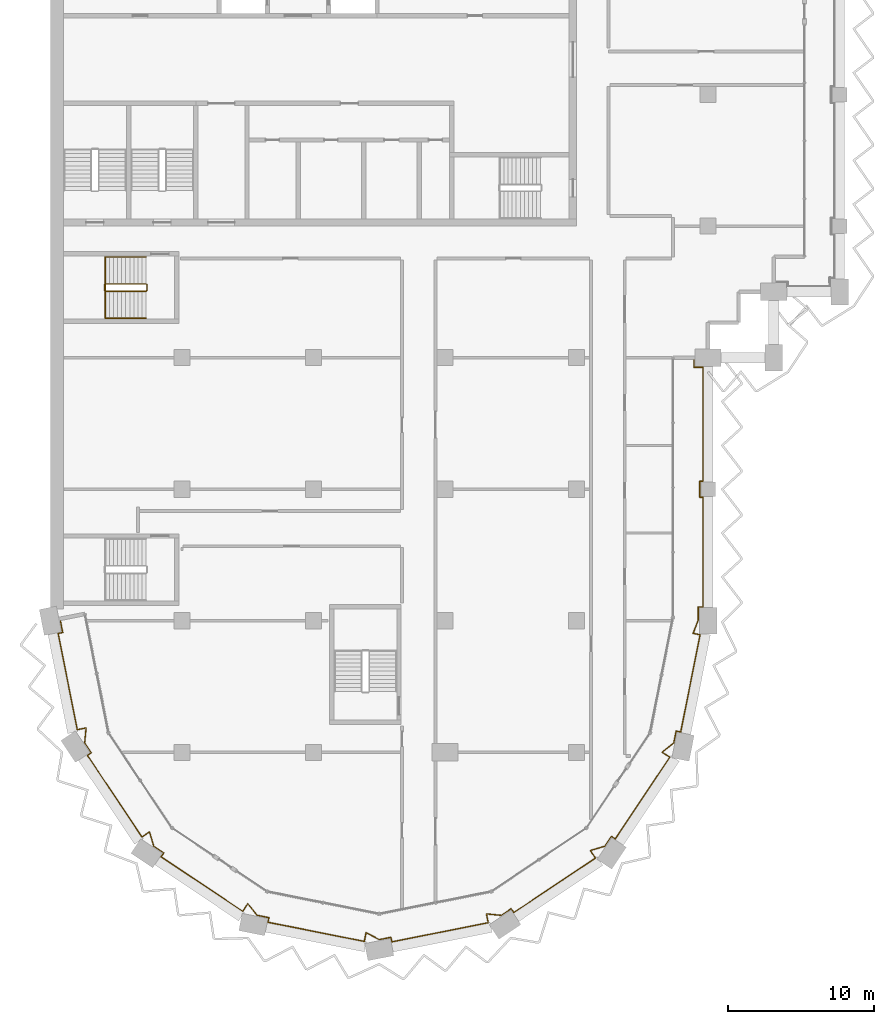
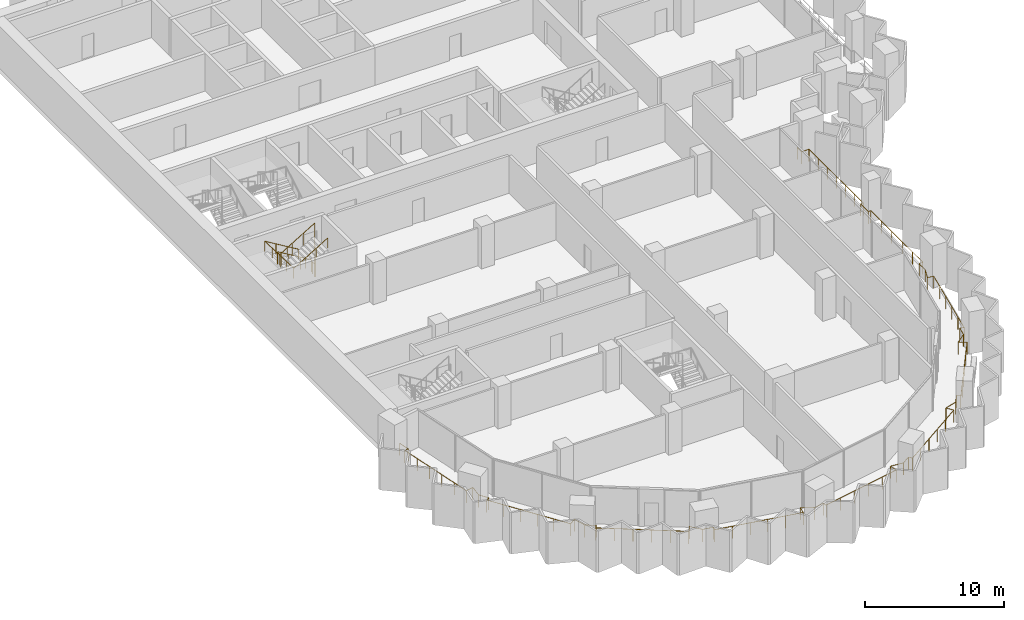
# One storey, part 15 of 17: 3 railings.
"""IFC4 building model written with IfcOpenShell, lengths in metres."""

from ifc_helpers import new_model, si_unit, direction, frame, origin, origin_2d, place, context, subcontext, project, spatial, circle, extrude, material, type_object, element, save


model = new_model("IFC4")

# Units and contexts
model_context = context("Model", 3, precision=1e-05, world=origin(), true_north=direction((0.0, 1.0)))
body_context = subcontext(model_context, "Body", "Model", "MODEL_VIEW")
ifc_project = project(units=[si_unit("LENGTHUNIT", "METRE"), si_unit("AREAUNIT", "SQUARE_METRE"), si_unit("VOLUMEUNIT", "CUBIC_METRE"), si_unit("PLANEANGLEUNIT", "RADIAN"), si_unit("MASSUNIT", "GRAM", prefix="KILO")], contexts=[model_context])

# Site, building, storey
site_placement = place(None, origin())
site = spatial("IfcSite", under=ifc_project, at=site_placement, CompositionType="ELEMENT")
building_placement = place(site_placement, origin())
building = spatial("IfcBuilding", under=site, at=building_placement, Name="Hunhe Ridgeline Campus", CompositionType="ELEMENT")
storey_placement = place(building_placement, frame((0.0, 0.0, 193.89990234375)))
storey = spatial("IfcBuildingStorey", under=building, at=storey_placement, Name="L49", CompositionType="ELEMENT", Elevation=193.89990234375)

# Railings
ifc_material_1 = material(Name="Steel Q355", Category="steel")
railing_type_1 = type_object("IfcRailingType", Name="Loggia guard 1100 Steel Q355", PredefinedType="GUARDRAIL", material=ifc_material_1)
railing_1_placement = place(storey_placement, frame((0.6572265625, 36.130615234375, 0.0)))
element("IfcRailing", 1, at=railing_1_placement, inside=storey, type_object=railing_type_1, Name="Loggia guard 1", PredefinedType="GUARDRAIL", context=body_context, shape_type="SweptSolid", body=[
    extrude(circle(Radius=0.02392578125, at=origin_2d()), frame((0.0, 0.0, 1.076171875), z_axis=(0.195078060519, -0.980787719287, 0.0), x_axis=(0.980787719287, 0.195078060519, 0.0)), (0.0, 0.0, 1.0), 0.949951171875),
    extrude(circle(Radius=0.02392578125, at=origin_2d()), frame((0.185302734375, -0.931640625, 1.076171875), z_axis=(-0.980756274917, -0.195236085831, 0.0), x_axis=(0.195236085831, -0.980756274917, 0.0)), (0.0, 0.0, 1.0), 0.320068359375),
    extrude(circle(Radius=0.02392578125, at=origin_2d()), frame((-0.128662109375, -0.994140625, 1.076171875), z_axis=(0.195081688297, -0.980786997717, 0.0), x_axis=(0.980786997717, 0.195081688297, 0.0)), (0.0, 0.0, 1.0), 6.718017578125),
    extrude(circle(Radius=0.02392578125, at=origin_2d()), frame((1.181884765625, -7.5830078125, 1.076171875), z_axis=(0.980747227858, 0.195281527671, 0.0), x_axis=(-0.195281527671, 0.980747227858, 0.0)), (0.0, 0.0, 1.0), 0.618896484375),
    extrude(circle(Radius=0.02392578125, at=origin_2d()), frame((1.788818359375, -7.462158203125, 1.076171875), z_axis=(-0.100047453171, -0.99498266674, 0.0), x_axis=(0.99498266674, -0.100047453171, 0.0)), (0.0, 0.0, 1.0), 1.0224609375),
    extrude(circle(Radius=0.02392578125, at=origin_2d()), frame((1.6865234375, -8.4794921875, 1.076171875), z_axis=(0.555596479569, -0.83145207432, 0.0), x_axis=(0.83145207432, 0.555596479569, 0.0)), (0.0, 0.0, 1.0), 0.81689453125),
    extrude(circle(Radius=0.02392578125, at=origin_2d()), frame((2.140380859375, -9.15869140625, 1.076171875), z_axis=(-0.831580508376, -0.555404229448, 0.0), x_axis=(0.555404229448, -0.831580508376, 0.0)), (0.0, 0.0, 1.0), 0.320068359375),
    extrude(circle(Radius=0.02392578125, at=origin_2d()), frame((1.874267578125, -9.33642578125, 1.076171875), z_axis=(0.555588848626, -0.831457173451, 0.0), x_axis=(0.831457173451, 0.555588848626, 0.0)), (0.0, 0.0, 1.0), 6.718017578125),
    extrude(circle(Radius=0.02392578125, at=origin_2d()), frame((5.606689453125, -14.922119140625, 1.076171875), z_axis=(0.831442704119, 0.555610501851, 0.0), x_axis=(-0.555610501851, 0.831442704119, 0.0)), (0.0, 0.0, 1.0), 0.61865234375),
    extrude(circle(Radius=0.02392578125, at=origin_2d()), frame((6.12109375, -14.578369140625, 1.076171875), z_axis=(0.28844300651, -0.957497066312, 0.0), x_axis=(0.957497066312, 0.28844300651, 0.0)), (0.0, 0.0, 1.0), 1.0224609375),
    extrude(circle(Radius=0.02392578125, at=origin_2d()), frame((6.416015625, -15.557373046875, 1.076171875), z_axis=(0.831359782977, -0.55573456906, 0.0), x_axis=(0.55573456906, 0.831359782977, 0.0)), (0.0, 0.0, 1.0), 0.816650390625),
    extrude(circle(Radius=0.02392578125, at=origin_2d()), frame((7.094970703125, -16.01123046875, 1.076171875), z_axis=(-0.555404229448, -0.831580508376, 0.0), x_axis=(0.831580508376, -0.555404229448, 0.0)), (0.0, 0.0, 1.0), 0.320068359375),
    extrude(circle(Radius=0.02392578125, at=origin_2d()), frame((6.917236328125, -16.27734375, 1.076171875), z_axis=(0.831473961305, -0.555563724222, 0.0), x_axis=(0.555563724222, 0.831473961305, 0.0)), (0.0, 0.0, 1.0), 6.7177734375),
    extrude(circle(Radius=0.02392578125, at=origin_2d()), frame((12.5029296875, -20.009521484375, 1.076171875), z_axis=(0.555610501851, 0.831442704119, 0.0), x_axis=(-0.831442704119, 0.555610501851, 0.0)), (0.0, 0.0, 1.0), 0.61865234375),
    extrude(circle(Radius=0.02392578125, at=origin_2d()), frame((12.8466796875, -19.4951171875, 1.076171875), z_axis=(0.63289971186, -0.774233785576, 0.0), x_axis=(0.774233785576, 0.63289971186, 0.0)), (0.0, 0.0, 1.0), 1.022705078125),
    extrude(circle(Radius=0.02392578125, at=origin_2d()), frame((13.493896484375, -20.286865234375, 1.076171875), z_axis=(0.980821383877, -0.194908729743, 0.0), x_axis=(0.194908729743, 0.980821383877, 0.0)), (0.0, 0.0, 1.0), 0.816650390625),
    extrude(circle(Radius=0.02392578125, at=origin_2d()), frame((14.294921875, -20.446044921875, 1.076171875), z_axis=(-0.195236085831, -0.980756274917, 0.0), x_axis=(0.980756274917, -0.195236085831, 0.0)), (0.0, 0.0, 1.0), 0.320068359375),
    extrude(circle(Radius=0.02392578125, at=origin_2d()), frame((14.232421875, -20.760009765625, 1.076171875), z_axis=(0.980786997717, -0.195081688297, 0.0), x_axis=(0.195081688297, 0.980786997717, 0.0)), (0.0, 0.0, 1.0), 6.718017578125),
    extrude(circle(Radius=0.02392578125, at=origin_2d()), frame((20.8212890625, -22.070556640625, 1.076171875), z_axis=(0.194902020226, 0.980822717168, 0.0), x_axis=(-0.980822717168, 0.194902020226, 0.0)), (0.0, 0.0, 1.0), 0.618896484375),
    extrude(circle(Radius=0.02392578125, at=origin_2d()), frame((20.94189453125, -21.463623046875, 1.076171875), z_axis=(0.880961256043, -0.473188403652, 0.0), x_axis=(0.473188403652, 0.880961256043, 0.0)), (0.0, 0.0, 1.0), 1.022705078125),
    extrude(circle(Radius=0.02392578125, at=origin_2d()), frame((21.8427734375, -21.947509765625, 1.076171875), z_axis=(0.980764196543, 0.195196287822, 0.0), x_axis=(-0.195196287822, 0.980764196543, 0.0)), (0.0, 0.0, 1.0), 0.816650390625),
    extrude(circle(Radius=0.02392578125, at=origin_2d()), frame((22.643798828125, -21.7880859375, 1.076171875), z_axis=(0.195236085831, -0.980756274917, 0.0), x_axis=(0.980756274917, 0.195236085831, 0.0)), (0.0, 0.0, 1.0), 0.320068359375),
    extrude(circle(Radius=0.02392578125, at=origin_2d()), frame((22.706298828125, -22.10205078125, 1.076171875), z_axis=(0.980786997717, 0.195081688297, 0.0), x_axis=(-0.195081688297, 0.980786997717, 0.0)), (0.0, 0.0, 1.0), 6.718017578125),
    extrude(circle(Radius=0.02392578125, at=origin_2d()), frame((29.295166015625, -20.79150390625, 1.076171875), z_axis=(-0.195281527671, 0.980747227858, 0.0), x_axis=(-0.980747227858, -0.195281527671, 0.0)), (0.0, 0.0, 1.0), 0.618896484375),
    extrude(circle(Radius=0.02392578125, at=origin_2d()), frame((29.17431640625, -20.1845703125, 1.076171875), z_axis=(0.99498266674, -0.100047453171, 0.0), x_axis=(0.100047453171, 0.99498266674, 0.0)), (0.0, 0.0, 1.0), 1.0224609375),
    extrude(circle(Radius=0.02392578125, at=origin_2d()), frame((30.191650390625, -20.286865234375, 1.076171875), z_axis=(0.83145207432, 0.555596479569, 0.0), x_axis=(-0.555596479569, 0.83145207432, 0.0)), (0.0, 0.0, 1.0), 0.81689453125),
    extrude(circle(Radius=0.02392578125, at=origin_2d()), frame((30.870849609375, -19.8330078125, 1.076171875), z_axis=(0.555404229448, -0.831580508376, 0.0), x_axis=(0.831580508376, 0.555404229448, 0.0)), (0.0, 0.0, 1.0), 0.320068359375),
    extrude(circle(Radius=0.02392578125, at=origin_2d()), frame((31.048583984375, -20.09912109375, 1.076171875), z_axis=(0.831457173451, 0.555588848626, 0.0), x_axis=(-0.555588848626, 0.831457173451, 0.0)), (0.0, 0.0, 1.0), 6.718017578125),
    extrude(circle(Radius=0.02392578125, at=origin_2d()), frame((36.63427734375, -16.36669921875, 1.076171875), z_axis=(-0.555610501851, 0.831442704119, 0.0), x_axis=(-0.831442704119, -0.555610501851, 0.0)), (0.0, 0.0, 1.0), 0.61865234375),
    extrude(circle(Radius=0.02392578125, at=origin_2d()), frame((36.29052734375, -15.852294921875, 1.076171875), z_axis=(0.957497066312, 0.28844300651, 0.0), x_axis=(-0.28844300651, 0.957497066312, 0.0)), (0.0, 0.0, 1.0), 1.0224609375),
    extrude(circle(Radius=0.02392578125, at=origin_2d()), frame((37.26953125, -15.557373046875, 1.076171875), z_axis=(0.55573456906, 0.831359782977, 0.0), x_axis=(-0.831359782977, 0.55573456906, 0.0)), (0.0, 0.0, 1.0), 0.816650390625),
    extrude(circle(Radius=0.02392578125, at=origin_2d()), frame((37.723388671875, -14.87841796875, 1.076171875), z_axis=(0.831580508376, -0.555404229448, 0.0), x_axis=(0.555404229448, 0.831580508376, 0.0)), (0.0, 0.0, 1.0), 0.320068359375),
    extrude(circle(Radius=0.02392578125, at=origin_2d()), frame((37.989501953125, -15.05615234375, 1.076171875), z_axis=(0.555563724222, 0.831473961305, 0.0), x_axis=(-0.831473961305, 0.555563724222, 0.0)), (0.0, 0.0, 1.0), 6.7177734375),
    extrude(circle(Radius=0.02392578125, at=origin_2d()), frame((41.7216796875, -9.470458984375, 1.076171875), z_axis=(-0.831442704119, 0.555610501851, 0.0), x_axis=(-0.555610501851, -0.831442704119, 0.0)), (0.0, 0.0, 1.0), 0.61865234375),
    extrude(circle(Radius=0.02392578125, at=origin_2d()), frame((41.207275390625, -9.126708984375, 1.076171875), z_axis=(0.774233785576, 0.63289971186, 0.0), x_axis=(-0.63289971186, 0.774233785576, 0.0)), (0.0, 0.0, 1.0), 1.022705078125),
    extrude(circle(Radius=0.02392578125, at=origin_2d()), frame((41.9990234375, -8.4794921875, 1.076171875), z_axis=(0.194908729743, 0.980821383877, 0.0), x_axis=(-0.980821383877, 0.194908729743, 0.0)), (0.0, 0.0, 1.0), 0.816650390625),
    extrude(circle(Radius=0.02392578125, at=origin_2d()), frame((42.158203125, -7.678466796875, 1.076171875), z_axis=(0.980756274917, -0.195236085831, 0.0), x_axis=(0.195236085831, 0.980756274917, 0.0)), (0.0, 0.0, 1.0), 0.320068359375),
    extrude(circle(Radius=0.02392578125, at=origin_2d()), frame((42.47216796875, -7.740966796875, 1.076171875), z_axis=(0.195084106665, 0.980786516693, 0.0), x_axis=(-0.980786516693, 0.195084106665, 0.0)), (0.0, 0.0, 1.0), 6.779296875),
    extrude(circle(Radius=0.02392578125, at=origin_2d()), frame((43.794677734375, -1.092041015625, 1.076171875), z_axis=(-0.980754922768, 0.195242878144, 0.0), x_axis=(-0.195242878144, -0.980754922768, 0.0)), (0.0, 0.0, 1.0), 0.48388671875),
    extrude(circle(Radius=0.02392578125, at=origin_2d()), frame((43.320068359375, -0.99755859375, 1.076171875), z_axis=(0.353724256779, 0.93534974751, 0.0), x_axis=(-0.93534974751, 0.353724256779, 0.0)), (0.0, 0.0, 1.0), 0.997314453125),
    extrude(circle(Radius=0.02392578125, at=origin_2d()), frame((43.6728515625, -0.064697265625, 1.076171875), z_axis=(0.0, 1.0, 0.0), x_axis=(-1.0, 0.0, 0.0)), (0.0, 0.0, 1.0), 0.884033203125),
    extrude(circle(Radius=0.02392578125, at=origin_2d()), frame((43.6728515625, 0.8193359375, 1.076171875), z_axis=(1.0, 0.0, 0.0), x_axis=(0.0, 1.0, 0.0)), (0.0, 0.0, 1.0), 0.31982421875),
    extrude(circle(Radius=0.02392578125, at=origin_2d()), frame((43.99267578125, 0.8193359375, 1.076171875), z_axis=(0.0, 1.0, 0.0), x_axis=(-1.0, 0.0, 0.0)), (0.0, 0.0, 1.0), 7.5),
    extrude(circle(Radius=0.02392578125, at=origin_2d()), frame((43.99267578125, 8.3193359375, 1.076171875), z_axis=(-1.0, 0.0, 0.0), x_axis=(0.0, -1.0, 0.0)), (0.0, 0.0, 1.0), 0.219970703125),
    extrude(circle(Radius=0.02392578125, at=origin_2d()), frame((43.772705078125, 8.3193359375, 1.076171875), z_axis=(0.0, 1.0, 0.0), x_axis=(-1.0, 0.0, 0.0)), (0.0, 0.0, 1.0), 1.10009765625),
    extrude(circle(Radius=0.02392578125, at=origin_2d()), frame((43.772705078125, 9.41943359375, 1.076171875), z_axis=(1.0, 0.0, 0.0), x_axis=(0.0, 1.0, 0.0)), (0.0, 0.0, 1.0), 0.219970703125),
    extrude(circle(Radius=0.02392578125, at=origin_2d()), frame((43.99267578125, 9.41943359375, 1.076171875), z_axis=(0.0, 1.0, 0.0), x_axis=(-1.0, 0.0, 0.0)), (0.0, 0.0, 1.0), 7.800048828125),
    extrude(circle(Radius=0.02392578125, at=origin_2d()), frame((43.99267578125, 17.219482421875, 1.076171875), z_axis=(-1.0, 0.0, 0.0), x_axis=(0.0, -1.0, 0.0)), (0.0, 0.0, 1.0), 0.619873046875),
    extrude(circle(Radius=0.02392578125, at=origin_2d()), frame((43.372802734375, 17.219482421875, 1.076171875), z_axis=(0.0, 1.0, 0.0), x_axis=(-1.0, 0.0, 0.0)), (0.0, 0.0, 1.0), 0.64990234375),
    extrude(circle(Radius=0.02099609375, at=origin_2d()), origin(), (0.0, 0.0, 1.0), 1.052001953125),
    extrude(circle(Radius=0.02099609375, at=origin_2d()), frame((0.185302734375, -0.931640625, 0.0)), (0.0, 0.0, 1.0), 1.052001953125),
    extrude(circle(Radius=0.02099609375, at=origin_2d()), frame((-0.128662109375, -0.994140625, 0.0)), (0.0, 0.0, 1.0), 1.052001953125),
    extrude(circle(Radius=0.02099609375, at=origin_2d()), frame((0.133544921875, -2.31201171875, 0.0)), (0.0, 0.0, 1.0), 1.052001953125),
    extrude(circle(Radius=0.02099609375, at=origin_2d()), frame((0.3955078125, -3.629638671875, 0.0)), (0.0, 0.0, 1.0), 1.052001953125),
    extrude(circle(Radius=0.02099609375, at=origin_2d()), frame((0.65771484375, -4.947509765625, 0.0)), (0.0, 0.0, 1.0), 1.052001953125),
    extrude(circle(Radius=0.02099609375, at=origin_2d()), frame((0.919677734375, -6.26513671875, 0.0)), (0.0, 0.0, 1.0), 1.052001953125),
    extrude(circle(Radius=0.02099609375, at=origin_2d()), frame((1.181884765625, -7.5830078125, 0.0)), (0.0, 0.0, 1.0), 1.052001953125),
    extrude(circle(Radius=0.02099609375, at=origin_2d()), frame((1.788818359375, -7.462158203125, 0.0)), (0.0, 0.0, 1.0), 1.052001953125),
    extrude(circle(Radius=0.02099609375, at=origin_2d()), frame((1.6865234375, -8.4794921875, 0.0)), (0.0, 0.0, 1.0), 1.052001953125),
    extrude(circle(Radius=0.02099609375, at=origin_2d()), frame((2.140380859375, -9.15869140625, 0.0)), (0.0, 0.0, 1.0), 1.052001953125),
    extrude(circle(Radius=0.02099609375, at=origin_2d()), frame((1.874267578125, -9.33642578125, 0.0)), (0.0, 0.0, 1.0), 1.052001953125),
    extrude(circle(Radius=0.02099609375, at=origin_2d()), frame((2.620849609375, -10.45361328125, 0.0)), (0.0, 0.0, 1.0), 1.052001953125),
    extrude(circle(Radius=0.02099609375, at=origin_2d()), frame((3.3671875, -11.57080078125, 0.0)), (0.0, 0.0, 1.0), 1.052001953125),
    extrude(circle(Radius=0.02099609375, at=origin_2d()), frame((4.11376953125, -12.687744140625, 0.0)), (0.0, 0.0, 1.0), 1.052001953125),
    extrude(circle(Radius=0.02099609375, at=origin_2d()), frame((4.860107421875, -13.804931640625, 0.0)), (0.0, 0.0, 1.0), 1.052001953125),
    extrude(circle(Radius=0.02099609375, at=origin_2d()), frame((5.606689453125, -14.922119140625, 0.0)), (0.0, 0.0, 1.0), 1.052001953125),
    extrude(circle(Radius=0.02099609375, at=origin_2d()), frame((6.12109375, -14.578369140625, 0.0)), (0.0, 0.0, 1.0), 1.052001953125),
    extrude(circle(Radius=0.02099609375, at=origin_2d()), frame((6.416015625, -15.557373046875, 0.0)), (0.0, 0.0, 1.0), 1.052001953125),
    extrude(circle(Radius=0.02099609375, at=origin_2d()), frame((7.094970703125, -16.01123046875, 0.0)), (0.0, 0.0, 1.0), 1.052001953125),
    extrude(circle(Radius=0.02099609375, at=origin_2d()), frame((6.917236328125, -16.27734375, 0.0)), (0.0, 0.0, 1.0), 1.052001953125),
    extrude(circle(Radius=0.02099609375, at=origin_2d()), frame((8.034423828125, -17.023681640625, 0.0)), (0.0, 0.0, 1.0), 1.052001953125),
    extrude(circle(Radius=0.02099609375, at=origin_2d()), frame((9.151611328125, -17.770263671875, 0.0)), (0.0, 0.0, 1.0), 1.052001953125),
    extrude(circle(Radius=0.02099609375, at=origin_2d()), frame((10.2685546875, -18.5166015625, 0.0)), (0.0, 0.0, 1.0), 1.052001953125),
    extrude(circle(Radius=0.02099609375, at=origin_2d()), frame((11.3857421875, -19.26318359375, 0.0)), (0.0, 0.0, 1.0), 1.052001953125),
    extrude(circle(Radius=0.02099609375, at=origin_2d()), frame((12.5029296875, -20.009521484375, 0.0)), (0.0, 0.0, 1.0), 1.052001953125),
    extrude(circle(Radius=0.02099609375, at=origin_2d()), frame((12.8466796875, -19.4951171875, 0.0)), (0.0, 0.0, 1.0), 1.052001953125),
    extrude(circle(Radius=0.02099609375, at=origin_2d()), frame((13.493896484375, -20.286865234375, 0.0)), (0.0, 0.0, 1.0), 1.052001953125),
    extrude(circle(Radius=0.02099609375, at=origin_2d()), frame((14.294921875, -20.446044921875, 0.0)), (0.0, 0.0, 1.0), 1.052001953125),
    extrude(circle(Radius=0.02099609375, at=origin_2d()), frame((14.232421875, -20.760009765625, 0.0)), (0.0, 0.0, 1.0), 1.052001953125),
    extrude(circle(Radius=0.02099609375, at=origin_2d()), frame((15.55029296875, -21.022216796875, 0.0)), (0.0, 0.0, 1.0), 1.052001953125),
    extrude(circle(Radius=0.02099609375, at=origin_2d()), frame((16.867919921875, -21.2841796875, 0.0)), (0.0, 0.0, 1.0), 1.052001953125),
    extrude(circle(Radius=0.02099609375, at=origin_2d()), frame((18.185791015625, -21.54638671875, 0.0)), (0.0, 0.0, 1.0), 1.052001953125),
    extrude(circle(Radius=0.02099609375, at=origin_2d()), frame((19.50341796875, -21.808349609375, 0.0)), (0.0, 0.0, 1.0), 1.052001953125),
    extrude(circle(Radius=0.02099609375, at=origin_2d()), frame((20.8212890625, -22.070556640625, 0.0)), (0.0, 0.0, 1.0), 1.052001953125),
    extrude(circle(Radius=0.02099609375, at=origin_2d()), frame((20.94189453125, -21.463623046875, 0.0)), (0.0, 0.0, 1.0), 1.052001953125),
    extrude(circle(Radius=0.02099609375, at=origin_2d()), frame((21.8427734375, -21.947509765625, 0.0)), (0.0, 0.0, 1.0), 1.052001953125),
    extrude(circle(Radius=0.02099609375, at=origin_2d()), frame((22.643798828125, -21.7880859375, 0.0)), (0.0, 0.0, 1.0), 1.052001953125),
    extrude(circle(Radius=0.02099609375, at=origin_2d()), frame((22.706298828125, -22.10205078125, 0.0)), (0.0, 0.0, 1.0), 1.052001953125),
    extrude(circle(Radius=0.02099609375, at=origin_2d()), frame((24.024169921875, -21.83984375, 0.0)), (0.0, 0.0, 1.0), 1.052001953125),
    extrude(circle(Radius=0.02099609375, at=origin_2d()), frame((25.341796875, -21.577880859375, 0.0)), (0.0, 0.0, 1.0), 1.052001953125),
    extrude(circle(Radius=0.02099609375, at=origin_2d()), frame((26.65966796875, -21.315673828125, 0.0)), (0.0, 0.0, 1.0), 1.052001953125),
    extrude(circle(Radius=0.02099609375, at=origin_2d()), frame((27.977294921875, -21.0537109375, 0.0)), (0.0, 0.0, 1.0), 1.052001953125),
    extrude(circle(Radius=0.02099609375, at=origin_2d()), frame((29.295166015625, -20.79150390625, 0.0)), (0.0, 0.0, 1.0), 1.052001953125),
    extrude(circle(Radius=0.02099609375, at=origin_2d()), frame((29.17431640625, -20.1845703125, 0.0)), (0.0, 0.0, 1.0), 1.052001953125),
    extrude(circle(Radius=0.02099609375, at=origin_2d()), frame((30.191650390625, -20.286865234375, 0.0)), (0.0, 0.0, 1.0), 1.052001953125),
    extrude(circle(Radius=0.02099609375, at=origin_2d()), frame((30.870849609375, -19.8330078125, 0.0)), (0.0, 0.0, 1.0), 1.052001953125),
    extrude(circle(Radius=0.02099609375, at=origin_2d()), frame((31.048583984375, -20.09912109375, 0.0)), (0.0, 0.0, 1.0), 1.052001953125),
    extrude(circle(Radius=0.02099609375, at=origin_2d()), frame((32.165771484375, -19.3525390625, 0.0)), (0.0, 0.0, 1.0), 1.052001953125),
    extrude(circle(Radius=0.02099609375, at=origin_2d()), frame((33.282958984375, -18.606201171875, 0.0)), (0.0, 0.0, 1.0), 1.052001953125),
    extrude(circle(Radius=0.02099609375, at=origin_2d()), frame((34.39990234375, -17.859619140625, 0.0)), (0.0, 0.0, 1.0), 1.052001953125),
    extrude(circle(Radius=0.02099609375, at=origin_2d()), frame((35.51708984375, -17.11328125, 0.0)), (0.0, 0.0, 1.0), 1.052001953125),
    extrude(circle(Radius=0.02099609375, at=origin_2d()), frame((36.63427734375, -16.36669921875, 0.0)), (0.0, 0.0, 1.0), 1.052001953125),
    extrude(circle(Radius=0.02099609375, at=origin_2d()), frame((36.29052734375, -15.852294921875, 0.0)), (0.0, 0.0, 1.0), 1.052001953125),
    extrude(circle(Radius=0.02099609375, at=origin_2d()), frame((37.26953125, -15.557373046875, 0.0)), (0.0, 0.0, 1.0), 1.052001953125),
    extrude(circle(Radius=0.02099609375, at=origin_2d()), frame((37.723388671875, -14.87841796875, 0.0)), (0.0, 0.0, 1.0), 1.052001953125),
    extrude(circle(Radius=0.02099609375, at=origin_2d()), frame((37.989501953125, -15.05615234375, 0.0)), (0.0, 0.0, 1.0), 1.052001953125),
    extrude(circle(Radius=0.02099609375, at=origin_2d()), frame((38.73583984375, -13.93896484375, 0.0)), (0.0, 0.0, 1.0), 1.052001953125),
    extrude(circle(Radius=0.02099609375, at=origin_2d()), frame((39.482421875, -12.82177734375, 0.0)), (0.0, 0.0, 1.0), 1.052001953125),
    extrude(circle(Radius=0.02099609375, at=origin_2d()), frame((40.228759765625, -11.704833984375, 0.0)), (0.0, 0.0, 1.0), 1.052001953125),
    extrude(circle(Radius=0.02099609375, at=origin_2d()), frame((40.975341796875, -10.587646484375, 0.0)), (0.0, 0.0, 1.0), 1.052001953125),
    extrude(circle(Radius=0.02099609375, at=origin_2d()), frame((41.7216796875, -9.470458984375, 0.0)), (0.0, 0.0, 1.0), 1.052001953125),
    extrude(circle(Radius=0.02099609375, at=origin_2d()), frame((41.207275390625, -9.126708984375, 0.0)), (0.0, 0.0, 1.0), 1.052001953125),
    extrude(circle(Radius=0.02099609375, at=origin_2d()), frame((41.9990234375, -8.4794921875, 0.0)), (0.0, 0.0, 1.0), 1.052001953125),
    extrude(circle(Radius=0.02099609375, at=origin_2d()), frame((42.158203125, -7.678466796875, 0.0)), (0.0, 0.0, 1.0), 1.052001953125),
    extrude(circle(Radius=0.02099609375, at=origin_2d()), frame((42.47216796875, -7.740966796875, 0.0)), (0.0, 0.0, 1.0), 1.052001953125),
    extrude(circle(Radius=0.02099609375, at=origin_2d()), frame((42.736572265625, -6.4111328125, 0.0)), (0.0, 0.0, 1.0), 1.052001953125),
    extrude(circle(Radius=0.02099609375, at=origin_2d()), frame((43.001220703125, -5.081298828125, 0.0)), (0.0, 0.0, 1.0), 1.052001953125),
    extrude(circle(Radius=0.02099609375, at=origin_2d()), frame((43.265625, -3.751708984375, 0.0)), (0.0, 0.0, 1.0), 1.052001953125),
    extrude(circle(Radius=0.02099609375, at=origin_2d()), frame((43.5302734375, -2.421875, 0.0)), (0.0, 0.0, 1.0), 1.052001953125),
    extrude(circle(Radius=0.02099609375, at=origin_2d()), frame((43.794677734375, -1.092041015625, 0.0)), (0.0, 0.0, 1.0), 1.052001953125),
    extrude(circle(Radius=0.02099609375, at=origin_2d()), frame((43.320068359375, -0.99755859375, 0.0)), (0.0, 0.0, 1.0), 1.052001953125),
    extrude(circle(Radius=0.02099609375, at=origin_2d()), frame((43.6728515625, -0.064697265625, 0.0)), (0.0, 0.0, 1.0), 1.052001953125),
    extrude(circle(Radius=0.02099609375, at=origin_2d()), frame((43.6728515625, 0.8193359375, 0.0)), (0.0, 0.0, 1.0), 1.052001953125),
    extrude(circle(Radius=0.02099609375, at=origin_2d()), frame((43.99267578125, 0.8193359375, 0.0)), (0.0, 0.0, 1.0), 1.052001953125),
    extrude(circle(Radius=0.02099609375, at=origin_2d()), frame((43.99267578125, 2.3193359375, 0.0)), (0.0, 0.0, 1.0), 1.052001953125),
    extrude(circle(Radius=0.02099609375, at=origin_2d()), frame((43.99267578125, 3.8193359375, 0.0)), (0.0, 0.0, 1.0), 1.052001953125),
    extrude(circle(Radius=0.02099609375, at=origin_2d()), frame((43.99267578125, 5.3193359375, 0.0)), (0.0, 0.0, 1.0), 1.052001953125),
    extrude(circle(Radius=0.02099609375, at=origin_2d()), frame((43.99267578125, 6.8193359375, 0.0)), (0.0, 0.0, 1.0), 1.052001953125),
    extrude(circle(Radius=0.02099609375, at=origin_2d()), frame((43.99267578125, 8.3193359375, 0.0)), (0.0, 0.0, 1.0), 1.052001953125),
    extrude(circle(Radius=0.02099609375, at=origin_2d()), frame((43.772705078125, 8.3193359375, 0.0)), (0.0, 0.0, 1.0), 1.052001953125),
    extrude(circle(Radius=0.02099609375, at=origin_2d()), frame((43.772705078125, 9.41943359375, 0.0)), (0.0, 0.0, 1.0), 1.052001953125),
    extrude(circle(Radius=0.02099609375, at=origin_2d()), frame((43.99267578125, 9.41943359375, 0.0)), (0.0, 0.0, 1.0), 1.052001953125),
    extrude(circle(Radius=0.02099609375, at=origin_2d()), frame((43.99267578125, 10.719482421875, 0.0)), (0.0, 0.0, 1.0), 1.052001953125),
    extrude(circle(Radius=0.02099609375, at=origin_2d()), frame((43.99267578125, 12.01953125, 0.0)), (0.0, 0.0, 1.0), 1.052001953125),
    extrude(circle(Radius=0.02099609375, at=origin_2d()), frame((43.99267578125, 13.3193359375, 0.0)), (0.0, 0.0, 1.0), 1.052001953125),
    extrude(circle(Radius=0.02099609375, at=origin_2d()), frame((43.99267578125, 14.619384765625, 0.0)), (0.0, 0.0, 1.0), 1.052001953125),
    extrude(circle(Radius=0.02099609375, at=origin_2d()), frame((43.99267578125, 15.91943359375, 0.0)), (0.0, 0.0, 1.0), 1.052001953125),
    extrude(circle(Radius=0.02099609375, at=origin_2d()), frame((43.99267578125, 17.219482421875, 0.0)), (0.0, 0.0, 1.0), 1.052001953125),
    extrude(circle(Radius=0.02099609375, at=origin_2d()), frame((43.372802734375, 17.219482421875, 0.0)), (0.0, 0.0, 1.0), 1.052001953125),
    extrude(circle(Radius=0.02099609375, at=origin_2d()), frame((43.372802734375, 17.869384765625, 0.0)), (0.0, 0.0, 1.0), 1.052001953125),
])
ifc_material_2 = material(Name="Stainless steel balustrade", Category="steel")
railing_type_2 = type_object("IfcRailingType", Name="Stair guard 1100 stainless", PredefinedType="GUARDRAIL", material=ifc_material_2)
railing_2_placement = place(storey_placement, frame((6.550048828125, 59.050048828125, 0.168212890625)))
element("IfcRailing", 2, at=railing_2_placement, inside=storey, type_object=railing_type_2, Name="L49 stair W2 guard", PredefinedType="GUARDRAIL", context=body_context, shape_type="SweptSolid", body=[
    extrude(circle(Radius=0.02392578125, at=origin_2d()), frame((0.0, 0.0, 1.076171875), z_axis=(-0.857242210791, 0.0, 0.514913383045), x_axis=(0.0, -1.0, 0.0)), (0.0, 0.0, 1.0), 3.266357421875),
    extrude(circle(Radius=0.02392578125, at=origin_2d()), frame((-2.800048828125, 0.0, 2.7578125), z_axis=(-0.707106781187, -0.707106781187, 0.0), x_axis=(0.707106781187, -0.707106781187, 0.0)), (0.0, 0.0, 1.0), 0.07080078125),
    extrude(circle(Radius=0.02392578125, at=origin_2d()), frame((-2.85009765625, -0.050048828125, 2.7578125), z_axis=(0.0, -1.0, 0.0), x_axis=(1.0, 0.0, 0.0)), (0.0, 0.0, 1.0), 0.39990234375),
    extrude(circle(Radius=0.02392578125, at=origin_2d()), frame((-2.85009765625, -0.449951171875, 2.7578125), z_axis=(0.274243871929, -0.274243871929, 0.92172696468), x_axis=(0.707106781187, 0.707106781187, 0.0)), (0.0, 0.0, 1.0), 0.1826171875),
    extrude(circle(Radius=0.02392578125, at=origin_2d()), frame((-2.800048828125, -0.5, 2.92626953125), z_axis=(0.857242210791, 0.0, 0.514913383045), x_axis=(0.0, 1.0, 0.0)), (0.0, 0.0, 1.0), 3.266357421875),
    extrude(circle(Radius=0.02392578125, at=origin_2d()), frame((0.0, -0.5, 4.60791015625), z_axis=(0.013523522368, 0.013523522368, -0.999817097616), x_axis=(-0.707106781187, 0.707106781187, 0.0)), (0.0, 0.0, 1.0), 3.700927734375),
    extrude(circle(Radius=0.02392578125, at=origin_2d()), frame((0.050048828125, -0.449951171875, 0.90771484375), z_axis=(0.0, 1.0, 0.0), x_axis=(-1.0, 0.0, 0.0)), (0.0, 0.0, 1.0), 0.39990234375),
    extrude(circle(Radius=0.02099609375, at=origin_2d()), origin(), (0.0, 0.0, 1.0), 1.052001953125),
    extrude(circle(Radius=0.02099609375, at=origin_2d()), frame((-0.933349609375, 0.0, 0.560546875)), (0.0, 0.0, 1.0), 1.052001953125),
    extrude(circle(Radius=0.02099609375, at=origin_2d()), frame((-1.86669921875, 0.0, 1.121337890625)), (0.0, 0.0, 1.0), 1.052001953125),
    extrude(circle(Radius=0.02099609375, at=origin_2d()), frame((-2.800048828125, 0.0, 1.681884765625)), (0.0, 0.0, 1.0), 1.052001953125),
    extrude(circle(Radius=0.02099609375, at=origin_2d()), frame((-2.85009765625, -0.050048828125, 1.681884765625)), (0.0, 0.0, 1.0), 1.052001953125),
    extrude(circle(Radius=0.02099609375, at=origin_2d()), frame((-2.85009765625, -0.449951171875, 1.681884765625)), (0.0, 0.0, 1.0), 1.052001953125),
    extrude(circle(Radius=0.02099609375, at=origin_2d()), frame((-2.800048828125, -0.5, 1.85009765625)), (0.0, 0.0, 1.0), 1.052001953125),
    extrude(circle(Radius=0.02099609375, at=origin_2d()), frame((-1.86669921875, -0.5, 2.41064453125)), (0.0, 0.0, 1.0), 1.052001953125),
    extrude(circle(Radius=0.02099609375, at=origin_2d()), frame((-0.933349609375, -0.5, 2.971435546875)), (0.0, 0.0, 1.0), 1.052001953125),
    extrude(circle(Radius=0.02099609375, at=origin_2d()), frame((0.0, -0.5, 3.531982421875)), (0.0, 0.0, 1.0), 1.052001953125),
    extrude(circle(Radius=0.02099609375, at=origin_2d()), frame((0.012451171875, -0.487548828125, 2.60693359375)), (0.0, 0.0, 1.0), 1.052001953125),
    extrude(circle(Radius=0.02099609375, at=origin_2d()), frame((0.02490234375, -0.47509765625, 1.681884765625)), (0.0, 0.0, 1.0), 1.052001953125),
    extrude(circle(Radius=0.02099609375, at=origin_2d()), frame((0.03759765625, -0.46240234375, 0.7568359375)), (0.0, 0.0, 1.0), 1.052001953125),
    extrude(circle(Radius=0.02099609375, at=origin_2d()), frame((0.050048828125, -0.449951171875, -0.168212890625)), (0.0, 0.0, 1.0), 1.052001953125),
    extrude(circle(Radius=0.02099609375, at=origin_2d()), frame((0.050048828125, -0.050048828125, -0.168212890625)), (0.0, 0.0, 1.0), 1.052001953125),
])
ifc_material_3 = material(Name="Stainless steel handrail", Category="steel")
railing_type_3 = type_object("IfcRailingType", Name="Stair handrail 900 stainless", PredefinedType="HANDRAIL", material=ifc_material_3)
railing_3_placement = place(storey_placement, frame((6.550048828125, 60.89990234375, 0.168212890625)))
element("IfcRailing", 3, at=railing_3_placement, inside=storey, type_object=railing_type_3, Name="L49 stair W2 handrail", PredefinedType="HANDRAIL", context=body_context, shape_type="SweptSolid", body=[
    extrude(circle(Radius=0.02392578125, at=origin_2d()), frame((0.0, 0.0, 0.8759765625), z_axis=(-0.857242210791, 0.0, 0.514913383045), x_axis=(0.0, -1.0, 0.0)), (0.0, 0.0, 1.0), 3.266357421875),
    extrude(circle(Radius=0.02392578125, at=origin_2d()), frame((-2.800048828125, 0.0, 2.5576171875), z_axis=(0.0, -0.999198916169, 0.040019069537), x_axis=(1.0, 0.0, 0.0)), (0.0, 0.0, 1.0), 4.203369140625),
    extrude(circle(Radius=0.02392578125, at=origin_2d()), frame((-2.800048828125, -4.199951171875, 2.72607421875), z_axis=(0.857242210791, 0.0, 0.514913383045), x_axis=(0.0, 1.0, 0.0)), (0.0, 0.0, 1.0), 3.266357421875),
    extrude(circle(Radius=0.02099609375, at=origin_2d()), origin(), (0.0, 0.0, 1.0), 0.851806640625),
    extrude(circle(Radius=0.02099609375, at=origin_2d()), frame((-0.933349609375, 0.0, 0.560546875)), (0.0, 0.0, 1.0), 0.851806640625),
    extrude(circle(Radius=0.02099609375, at=origin_2d()), frame((-1.86669921875, 0.0, 1.121337890625)), (0.0, 0.0, 1.0), 0.851806640625),
    extrude(circle(Radius=0.02099609375, at=origin_2d()), frame((-2.800048828125, 0.0, 1.681884765625)), (0.0, 0.0, 1.0), 0.851806640625),
    extrude(circle(Radius=0.02099609375, at=origin_2d()), frame((-2.800048828125, -1.050048828125, 1.723876953125)), (0.0, 0.0, 1.0), 0.851806640625),
    extrude(circle(Radius=0.02099609375, at=origin_2d()), frame((-2.800048828125, -2.10009765625, 1.76611328125)), (0.0, 0.0, 1.0), 0.851806640625),
    extrude(circle(Radius=0.02099609375, at=origin_2d()), frame((-2.800048828125, -3.14990234375, 1.80810546875)), (0.0, 0.0, 1.0), 0.851806640625),
    extrude(circle(Radius=0.02099609375, at=origin_2d()), frame((-2.800048828125, -4.199951171875, 1.85009765625)), (0.0, 0.0, 1.0), 0.851806640625),
    extrude(circle(Radius=0.02099609375, at=origin_2d()), frame((-1.86669921875, -4.199951171875, 2.41064453125)), (0.0, 0.0, 1.0), 0.851806640625),
    extrude(circle(Radius=0.02099609375, at=origin_2d()), frame((-0.933349609375, -4.199951171875, 2.971435546875)), (0.0, 0.0, 1.0), 0.851806640625),
    extrude(circle(Radius=0.02099609375, at=origin_2d()), frame((0.0, -4.199951171875, 3.531982421875)), (0.0, 0.0, 1.0), 0.851806640625),
])

save(model, "model.ifc")
